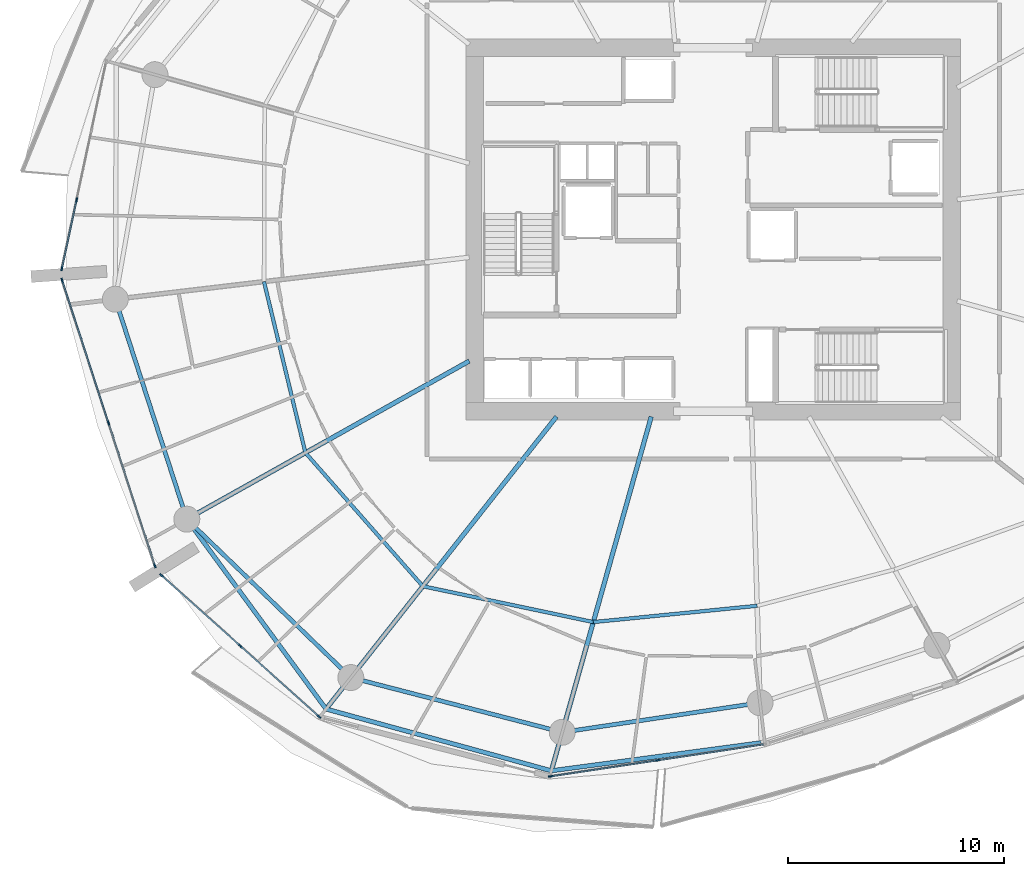
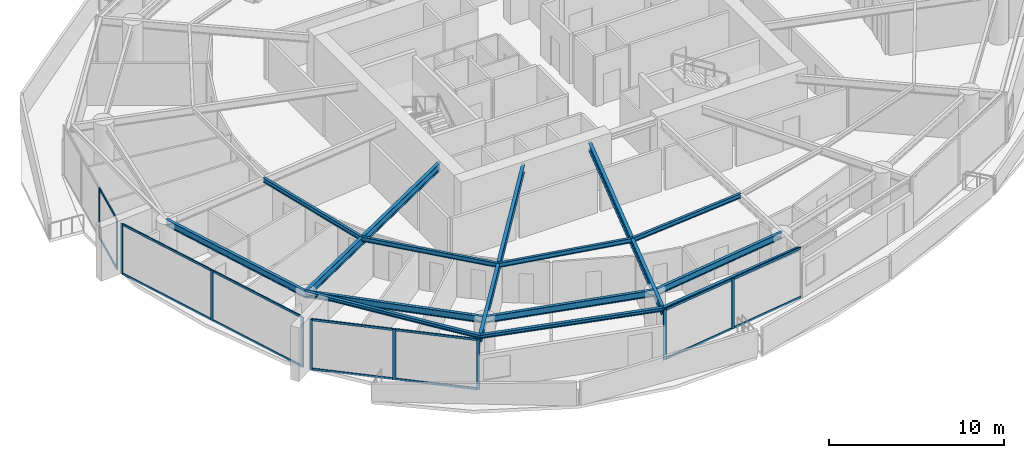
# One storey, part 5 of 23: 24 members, 14 beams, 4 elements without a shape of their own.
"""IFC4 building model written with IfcOpenShell, lengths in metres."""

from ifc_helpers import new_model, si_unit, direction, frame, origin, origin_2d, place, context, subcontext, project, spatial, rectangle, i_section, extrude, material, layer, layer_set, material_profile, profile_set, type_object, element, aggregate, save


model = new_model("IFC4")

# Units and contexts
model_context = context("Model", 3, precision=1e-05, world=origin(), true_north=direction((0.0, 1.0)))
body_context = subcontext(model_context, "Body", "Model", "MODEL_VIEW")
ifc_project = project(units=[si_unit("LENGTHUNIT", "METRE"), si_unit("AREAUNIT", "SQUARE_METRE"), si_unit("VOLUMEUNIT", "CUBIC_METRE"), si_unit("PLANEANGLEUNIT", "RADIAN"), si_unit("MASSUNIT", "GRAM", prefix="KILO")], contexts=[model_context])

# Site, building, storey
site_placement = place(None, origin())
site = spatial("IfcSite", under=ifc_project, at=site_placement, CompositionType="ELEMENT")
building_placement = place(site_placement, origin())
building = spatial("IfcBuilding", under=site, at=building_placement, Name="Kazma Halo Residences", CompositionType="ELEMENT")
storey_placement = place(building_placement, frame((0.0, 0.0, 108.89990234375)))
storey = spatial("IfcBuildingStorey", under=building, at=storey_placement, Name="L27", CompositionType="ELEMENT", Elevation=108.89990234375)

# Beams
ifc_material_1 = material(Name="Steel S355", Category="steel")
ifc_material_profile_1 = material_profile(ifc_material_1, i_section(OverallWidth=0.201904296875, OverallDepth=0.2470703125, WebThickness=0.00732421875, FlangeThickness=0.010986328125, FilletRadius=0.011962890625, at=origin_2d()), Name="W250x49.1")
ifc_profile_set_1 = profile_set([ifc_material_profile_1], Name="Steel S355")
beam_type_1 = type_object("IfcBeamType", Name="BM-BAL-CANT", PredefinedType="BEAM", material=ifc_profile_set_1)
beam_1_placement = place(storey_placement, frame((24.0966796875, 28.613525390625, 3.376708984375), z_axis=(0.59144927253, -0.806342209005, 0.0), x_axis=(0.806342209005, 0.59144927253, 0.0)))
element("IfcBeam", 1, at=beam_1_placement, inside=storey, type_object=beam_type_1, Name="L27 wave-balcony lead tie beam 09", PredefinedType="BEAM", context=body_context, shape_type="SweptSolid", body=[
    extrude(i_section(OverallWidth=0.201904296875, OverallDepth=0.2470703125, WebThickness=0.00732421875, FlangeThickness=0.010986328125, FilletRadius=0.011962890625, at=origin_2d()), origin(), (0.0, 0.0, 1.0), 10.87939453125),
])
beam_2_placement = place(storey_placement, frame((30.53125, 19.841064453125, 3.376708984375), z_axis=(0.964396617, -0.264460139, 0.0), x_axis=(0.264460139, 0.964396617, 0.0)))
element("IfcBeam", 2, at=beam_2_placement, inside=storey, type_object=beam_type_1, Name="L27 wave-balcony tie beam 10", PredefinedType="BEAM", context=body_context, shape_type="SweptSolid", body=[
    extrude(i_section(OverallWidth=0.201904296875, OverallDepth=0.2470703125, WebThickness=0.00732421875, FlangeThickness=0.010986328125, FilletRadius=0.011962890625, at=origin_2d()), origin(), (0.0, 0.0, 1.0), 10.79833984375),
])
beam_3_placement = place(storey_placement, frame((40.945068359375, 16.9853515625, 3.376708984375), z_axis=(0.991182511795, 0.13250369169, 0.0), x_axis=(-0.13250369169, 0.991182511795, 0.0)))
element("IfcBeam", 3, at=beam_3_placement, inside=storey, type_object=beam_type_1, Name="L27 wave-balcony tie beam 11", PredefinedType="BEAM", context=body_context, shape_type="SweptSolid", body=[
    extrude(i_section(OverallWidth=0.201904296875, OverallDepth=0.2470703125, WebThickness=0.00732421875, FlangeThickness=0.010986328125, FilletRadius=0.011962890625, at=origin_2d()), origin(), (0.0, 0.0, 1.0), 9.78369140625),
])
ifc_material_profile_2 = material_profile(ifc_material_1, i_section(OverallWidth=0.208984375, OverallDepth=0.532958984375, WebThickness=0.01025390625, FlangeThickness=0.015625, FilletRadius=0.01611328125, at=origin_2d()), Name="W530x92")
ifc_profile_set_2 = profile_set([ifc_material_profile_2], Name="Steel S355")
beam_type_2 = type_object("IfcBeamType", Name="BM-RAD-W530", PredefinedType="BEAM", material=ifc_profile_set_2)
beam_4_placement = place(storey_placement, frame((37.14990234375, 35.923583984375, 3.233642578125), z_axis=(-0.87249878074, -0.488616288724, 0.0), x_axis=(0.488616288724, -0.87249878074, 0.0)))
element("IfcBeam", 4, at=beam_4_placement, inside=storey, type_object=beam_type_2, Name="L27 radial floor beam 09", PredefinedType="BEAM", context=body_context, shape_type="SweptSolid", body=[
    extrude(i_section(OverallWidth=0.208984375, OverallDepth=0.532958984375, WebThickness=0.01025390625, FlangeThickness=0.015625, FilletRadius=0.01611328125, at=origin_2d()), origin(), (0.0, 0.0, 1.0), 14.960693359375),
])
beam_5_placement = place(storey_placement, frame((41.180908203125, 33.35009765625, 3.233642578125), z_axis=(-0.619093774822, -0.785317068436, 0.0), x_axis=(0.785317068436, -0.619093774822, 0.0)))
element("IfcBeam", 5, at=beam_5_placement, inside=storey, type_object=beam_type_2, Name="L27 radial floor beam 10", PredefinedType="BEAM", context=body_context, shape_type="SweptSolid", body=[
    extrude(i_section(OverallWidth=0.208984375, OverallDepth=0.532958984375, WebThickness=0.01025390625, FlangeThickness=0.015625, FilletRadius=0.01611328125, at=origin_2d()), origin(), (0.0, 0.0, 1.0), 17.201904296875),
])
beam_6_placement = place(storey_placement, frame((45.560302734375, 33.35009765625, 3.233642578125), z_axis=(-0.271434928076, -0.962456793742, 0.0), x_axis=(0.962456793742, -0.271434928076, 0.0)))
element("IfcBeam", 6, at=beam_6_placement, inside=storey, type_object=beam_type_2, Name="L27 radial floor beam 11", PredefinedType="BEAM", context=body_context, shape_type="SweptSolid", body=[
    extrude(i_section(OverallWidth=0.208984375, OverallDepth=0.532958984375, WebThickness=0.01025390625, FlangeThickness=0.015625, FilletRadius=0.01611328125, at=origin_2d()), origin(), (0.0, 0.0, 1.0), 17.003173828125),
])
ifc_material_profile_3 = material_profile(ifc_material_1, i_section(OverallWidth=0.1650390625, OverallDepth=0.31005859375, WebThickness=0.005859375, FlangeThickness=0.009765625, FilletRadius=0.011962890625, at=origin_2d()), Name="W310x38.7")
ifc_profile_set_3 = profile_set([ifc_material_profile_3], Name="Steel S355")
beam_type_3 = type_object("IfcBeamType", Name="BM-SEC-W310B", PredefinedType="JOIST", material=ifc_profile_set_3)
beam_7_placement = place(storey_placement, frame((27.6630859375, 39.593017578125, 3.34521484375), z_axis=(0.235442033286, -0.971888393264, 0.0), x_axis=(0.971888393264, 0.235442033286, 0.0)))
element("IfcBeam", 7, at=beam_7_placement, inside=storey, type_object=beam_type_3, Name="L27 circumferential floor joist 08", PredefinedType="JOIST", context=body_context, shape_type="SweptSolid", body=[
    extrude(i_section(OverallWidth=0.1650390625, OverallDepth=0.31005859375, WebThickness=0.005859375, FlangeThickness=0.009765625, FilletRadius=0.011962890625, at=origin_2d()), origin(), (0.0, 0.0, 1.0), 8.137939453125),
])
beam_8_placement = place(storey_placement, frame((29.5791015625, 31.683837890625, 3.34521484375), z_axis=(0.660379309564, -0.750932199003, 0.0), x_axis=(0.750932199003, 0.660379309564, 0.0)))
element("IfcBeam", 8, at=beam_8_placement, inside=storey, type_object=beam_type_3, Name="L27 circumferential floor joist 09", PredefinedType="JOIST", context=body_context, shape_type="SweptSolid", body=[
    extrude(i_section(OverallWidth=0.1650390625, OverallDepth=0.31005859375, WebThickness=0.005859375, FlangeThickness=0.009765625, FilletRadius=0.011962890625, at=origin_2d()), origin(), (0.0, 0.0, 1.0), 8.215087890625),
])
beam_9_placement = place(storey_placement, frame((35.004150390625, 25.514892578125, 3.34521484375), z_axis=(0.978607976751, -0.205733876255, 0.0), x_axis=(0.205733876255, 0.978607976751, 0.0)))
element("IfcBeam", 9, at=beam_9_placement, inside=storey, type_object=beam_type_3, Name="L27 circumferential floor joist 10", PredefinedType="JOIST", context=body_context, shape_type="SweptSolid", body=[
    extrude(i_section(OverallWidth=0.1650390625, OverallDepth=0.31005859375, WebThickness=0.005859375, FlangeThickness=0.009765625, FilletRadius=0.011962890625, at=origin_2d()), origin(), (0.0, 0.0, 1.0), 8.051513671875),
])
beam_10_placement = place(storey_placement, frame((42.883544921875, 23.8583984375, 3.34521484375), z_axis=(0.995106821048, 0.098804932586, 0.0), x_axis=(-0.098804932586, 0.995106821048, 0.0)))
element("IfcBeam", 10, at=beam_10_placement, inside=storey, type_object=beam_type_3, Name="L27 circumferential floor joist 11", PredefinedType="JOIST", context=body_context, shape_type="SweptSolid", body=[
    extrude(i_section(OverallWidth=0.1650390625, OverallDepth=0.31005859375, WebThickness=0.005859375, FlangeThickness=0.009765625, FilletRadius=0.011962890625, at=origin_2d()), origin(), (0.0, 0.0, 1.0), 7.610595703125),
])
ifc_material_profile_4 = material_profile(ifc_material_1, i_section(OverallWidth=0.18994140625, OverallDepth=0.45703125, WebThickness=0.009033203125, FlangeThickness=0.014404296875, FilletRadius=0.01611328125, at=origin_2d()), Name="W460x74")
ifc_profile_set_4 = profile_set([ifc_material_profile_4], Name="Steel S355")
beam_type_4 = type_object("IfcBeamType", Name="BM-SPN-W460", PredefinedType="BEAM", material=ifc_profile_set_4)
beam_11_placement = place(storey_placement, frame((20.79345703125, 38.77978515625, 3.271484375), z_axis=(0.309017385422, -0.951056389236, 0.0), x_axis=(0.951056389236, 0.309017385422, 0.0)))
element("IfcBeam", 11, at=beam_11_placement, inside=storey, type_object=beam_type_4, Name="L27 perimeter ring beam 08", PredefinedType="BEAM", context=body_context, shape_type="SweptSolid", body=[
    extrude(i_section(OverallWidth=0.18994140625, OverallDepth=0.45703125, WebThickness=0.009033203125, FlangeThickness=0.014404296875, FilletRadius=0.01611328125, at=origin_2d()), origin(), (0.0, 0.0, 1.0), 10.689453125),
])
beam_12_placement = place(storey_placement, frame((24.0966796875, 28.613525390625, 3.271484375), z_axis=(0.719336783114, -0.694661494873, 0.0), x_axis=(0.694661494873, 0.719336783114, 0.0)))
element("IfcBeam", 12, at=beam_12_placement, inside=storey, type_object=beam_type_4, Name="L27 perimeter ring beam 09", PredefinedType="BEAM", context=body_context, shape_type="SweptSolid", body=[
    extrude(i_section(OverallWidth=0.18994140625, OverallDepth=0.45703125, WebThickness=0.009033203125, FlangeThickness=0.014404296875, FilletRadius=0.01611328125, at=origin_2d()), origin(), (0.0, 0.0, 1.0), 10.537353515625),
])
beam_13_placement = place(storey_placement, frame((31.676513671875, 21.293701171875, 3.271484375), z_axis=(0.968124968683, -0.250467652626, 0.0), x_axis=(0.250467652626, 0.968124968683, 0.0)))
element("IfcBeam", 13, at=beam_13_placement, inside=storey, type_object=beam_type_4, Name="L27 perimeter ring beam 10", PredefinedType="BEAM", context=body_context, shape_type="SweptSolid", body=[
    extrude(i_section(OverallWidth=0.18994140625, OverallDepth=0.45703125, WebThickness=0.009033203125, FlangeThickness=0.014404296875, FilletRadius=0.01611328125, at=origin_2d()), origin(), (0.0, 0.0, 1.0), 10.092529296875),
])
beam_14_placement = place(storey_placement, frame((41.447265625, 18.765869140625, 3.271484375), z_axis=(0.989034176303, 0.147686824414, 0.0), x_axis=(-0.147686824414, 0.989034176303, 0.0)))
element("IfcBeam", 14, at=beam_14_placement, inside=storey, type_object=beam_type_4, Name="L27 perimeter ring beam 11", PredefinedType="BEAM", context=body_context, shape_type="SweptSolid", body=[
    extrude(i_section(OverallWidth=0.18994140625, OverallDepth=0.45703125, WebThickness=0.009033203125, FlangeThickness=0.014404296875, FilletRadius=0.01611328125, at=origin_2d()), origin(), (0.0, 0.0, 1.0), 9.242431640625),
])

# Curtain wall, members
ifc_material_2 = material(Name="Aluminium AW-6063 T6 and Triple-Silver Low-E Glass", Category="aluminium")
ifc_layer = layer(ifc_material_2, 0.199951171875)
ifc_layer_set = layer_set([ifc_layer], Name="Aluminium AW-6063 T6 and Triple-Silver Low-E Glass")
curtain_wall_type = type_object("IfcCurtainWallType", Name="CW-SYS-3", PredefinedType="NOTDEFINED", material=ifc_layer_set)
curtain_wall_1_placement = place(storey_placement, origin())
curtain_wall_1 = element("IfcCurtainWall", 15, at=curtain_wall_1_placement, inside=storey, type_object=curtain_wall_type, Name="L27 unitised curtain wall B07", PredefinedType="NOTDEFINED")
ifc_material_3 = material(Name="Aluminium AW-6063 T6", Category="aluminium")
ifc_material_profile_5 = material_profile(ifc_material_3, rectangle(XDim=0.070068359375, YDim=0.199951171875, at=origin_2d()), Name="CWM-70x200")
ifc_profile_set_5 = profile_set([ifc_material_profile_5], Name="Aluminium AW-6063 T6")
member_type_1 = type_object("IfcMemberType", Name="CW-SYS-3-MUL", PredefinedType="MULLION", material=ifc_profile_set_5)
member_1_placement = place(storey_placement, frame((19.004638671875, 43.36865234375, 0.0), z_axis=(0.0, 0.0, 1.0), x_axis=(0.977774176093, -0.209660822677, 0.0)))
member_1 = element("IfcMember", 16, at=member_1_placement, type_object=member_type_1, Name="CWS-3 mullion 3", PredefinedType="MULLION", context=body_context, shape_type="SweptSolid", body=[
    extrude(rectangle(XDim=0.070068359375, YDim=0.199951171875, at=origin_2d()), origin(), (0.0, 0.0, 1.0), 3.5),
])
member_2_placement = place(storey_placement, frame((18.323486328125, 40.192626953125, 0.0), z_axis=(0.0, 0.0, 1.0), x_axis=(0.977774176093, -0.209660822677, 0.0)))
member_2 = element("IfcMember", 17, at=member_2_placement, type_object=member_type_1, Name="CWS-3 mullion 4", PredefinedType="MULLION", context=body_context, shape_type="SweptSolid", body=[
    extrude(rectangle(XDim=0.070068359375, YDim=0.199951171875, at=origin_2d()), origin(), (0.0, 0.0, 1.0), 3.5),
])

curtain_wall_2_placement = place(storey_placement, origin())
curtain_wall_2 = element("IfcCurtainWall", 18, at=curtain_wall_2_placement, inside=storey, type_object=curtain_wall_type, Name="L27 unitised curtain wall B08", PredefinedType="NOTDEFINED")
member_3_placement = place(storey_placement, frame((18.334716796875, 39.6572265625, 0.0), z_axis=(0.0, 0.0, 1.0), x_axis=(0.951057722508, 0.309013282008, 0.0)))
member_3 = element("IfcMember", 19, at=member_3_placement, type_object=member_type_1, Name="CWS-3 mullion 1", PredefinedType="MULLION", context=body_context, shape_type="SweptSolid", body=[
    extrude(rectangle(XDim=0.070068359375, YDim=0.199951171875, at=origin_2d()), origin(), (0.0, 0.0, 1.0), 3.5),
])
member_4_placement = place(storey_placement, frame((20.47900390625, 33.057861328125, 0.0), z_axis=(0.0, 0.0, 1.0), x_axis=(0.951057722508, 0.309013282008, 0.0)))
member_4 = element("IfcMember", 20, at=member_4_placement, type_object=member_type_1, Name="CWS-3 mullion 2", PredefinedType="MULLION", context=body_context, shape_type="SweptSolid", body=[
    extrude(rectangle(XDim=0.070068359375, YDim=0.199951171875, at=origin_2d()), origin(), (0.0, 0.0, 1.0), 3.5),
])
member_5_placement = place(storey_placement, frame((22.623291015625, 26.45849609375, 0.0), z_axis=(0.0, 0.0, 1.0), x_axis=(0.951057722508, 0.309013282008, 0.0)))
member_5 = element("IfcMember", 21, at=member_5_placement, type_object=member_type_1, Name="CWS-3 mullion 3", PredefinedType="MULLION", context=body_context, shape_type="SweptSolid", body=[
    extrude(rectangle(XDim=0.070068359375, YDim=0.199951171875, at=origin_2d()), origin(), (0.0, 0.0, 1.0), 3.5),
])

curtain_wall_3_placement = place(storey_placement, origin())
curtain_wall_3 = element("IfcCurtainWall", 22, at=curtain_wall_3_placement, inside=storey, type_object=curtain_wall_type, Name="L27 unitised curtain wall B09", PredefinedType="NOTDEFINED")
member_6_placement = place(storey_placement, frame((22.928955078125, 26.018798828125, 0.0), z_axis=(0.0, 0.0, 1.0), x_axis=(0.667794957375, 0.744345279359, 0.0)))
member_6 = element("IfcMember", 23, at=member_6_placement, type_object=member_type_1, Name="CWS-3 mullion 1", PredefinedType="MULLION", context=body_context, shape_type="SweptSolid", body=[
    extrude(rectangle(XDim=0.070068359375, YDim=0.199951171875, at=origin_2d()), origin(), (0.0, 0.0, 1.0), 3.5),
])
member_7_placement = place(storey_placement, frame((26.568603515625, 22.75341796875, 0.0), z_axis=(0.0, 0.0, 1.0), x_axis=(0.667794957375, 0.744345279359, 0.0)))
member_7 = element("IfcMember", 24, at=member_7_placement, type_object=member_type_1, Name="CWS-3 mullion 2", PredefinedType="MULLION", context=body_context, shape_type="SweptSolid", body=[
    extrude(rectangle(XDim=0.070068359375, YDim=0.199951171875, at=origin_2d()), origin(), (0.0, 0.0, 1.0), 3.5),
])
member_8_placement = place(storey_placement, frame((30.208251953125, 19.48779296875, 0.0), z_axis=(0.0, 0.0, 1.0), x_axis=(0.667794957375, 0.744345279359, 0.0)))
member_8 = element("IfcMember", 25, at=member_8_placement, type_object=member_type_1, Name="CWS-3 mullion 3", PredefinedType="MULLION", context=body_context, shape_type="SweptSolid", body=[
    extrude(rectangle(XDim=0.070068359375, YDim=0.199951171875, at=origin_2d()), origin(), (0.0, 0.0, 1.0), 3.5),
])

curtain_wall_4_placement = place(storey_placement, origin())
curtain_wall_4 = element("IfcCurtainWall", 26, at=curtain_wall_4_placement, inside=storey, type_object=curtain_wall_type, Name="L27 unitised curtain wall B11", PredefinedType="NOTDEFINED")
member_9_placement = place(storey_placement, frame((40.90576171875, 16.728271484375, 0.0), z_axis=(0.0, 0.0, 1.0), x_axis=(-0.148717330409, 0.988879747814, 0.0)))
member_9 = element("IfcMember", 27, at=member_9_placement, type_object=member_type_1, Name="CWS-3 mullion 1", PredefinedType="MULLION", context=body_context, shape_type="SweptSolid", body=[
    extrude(rectangle(XDim=0.070068359375, YDim=0.199951171875, at=origin_2d()), origin(), (0.0, 0.0, 1.0), 3.5),
])
member_10_placement = place(storey_placement, frame((45.843017578125, 17.470703125, 0.0), z_axis=(0.0, 0.0, 1.0), x_axis=(-0.148717330409, 0.988879747814, 0.0)))
member_10 = element("IfcMember", 28, at=member_10_placement, type_object=member_type_1, Name="CWS-3 mullion 2", PredefinedType="MULLION", context=body_context, shape_type="SweptSolid", body=[
    extrude(rectangle(XDim=0.070068359375, YDim=0.199951171875, at=origin_2d()), origin(), (0.0, 0.0, 1.0), 3.5),
])

# Member
ifc_material_profile_6 = material_profile(ifc_material_3, rectangle(XDim=0.070068359375, YDim=0.14990234375, at=origin_2d()), Name="CWT-70x150")
ifc_profile_set_6 = profile_set([ifc_material_profile_6], Name="Aluminium AW-6063 T6")
member_type_2 = type_object("IfcMemberType", Name="CW-SYS-3-TRN", PredefinedType="USERDEFINED", material=ifc_profile_set_6)
member_11_placement = place(storey_placement, frame((18.997314453125, 43.33447265625, 0.03515625), z_axis=(-0.209717949017, -0.977761924939, 0.0), x_axis=(0.977761924939, -0.209717949017, 0.0)))
member_11 = element("IfcMember", 29, at=member_11_placement, type_object=member_type_2, Name="CWS-3 transom 3.1", ObjectType="TRANSOM", PredefinedType="USERDEFINED", context=body_context, shape_type="SweptSolid", body=[
    extrude(rectangle(XDim=0.070068359375, YDim=0.14990234375, at=origin_2d()), origin(), (0.0, 0.0, 1.0), 3.177978515625),
])

member_12_placement = place(storey_placement, frame((18.997314453125, 43.33447265625, 3.465087890625), z_axis=(-0.209717949017, -0.977761924939, 0.0), x_axis=(0.977761924939, -0.209717949017, 0.0)))
member_12 = element("IfcMember", 30, at=member_12_placement, type_object=member_type_2, Name="CWS-3 transom 3.2", ObjectType="TRANSOM", PredefinedType="USERDEFINED", context=body_context, shape_type="SweptSolid", body=[
    extrude(rectangle(XDim=0.070068359375, YDim=0.14990234375, at=origin_2d()), origin(), (0.0, 0.0, 1.0), 3.177978515625),
])

aggregate(curtain_wall_1, [member_1, member_2, member_11, member_12])

member_13_placement = place(storey_placement, frame((18.345458984375, 39.6240234375, 0.03515625), z_axis=(0.309000079699, -0.95106201204, 0.0), x_axis=(0.95106201204, 0.309000079699, 0.0)))
member_13 = element("IfcMember", 31, at=member_13_placement, type_object=member_type_2, Name="CWS-3 transom 1.1", ObjectType="TRANSOM", PredefinedType="USERDEFINED", context=body_context, shape_type="SweptSolid", body=[
    extrude(rectangle(XDim=0.070068359375, YDim=0.14990234375, at=origin_2d()), origin(), (0.0, 0.0, 1.0), 6.869140625),
])

member_14_placement = place(storey_placement, frame((18.345458984375, 39.6240234375, 3.465087890625), z_axis=(0.309000079699, -0.95106201204, 0.0), x_axis=(0.95106201204, 0.309000079699, 0.0)))
member_14 = element("IfcMember", 32, at=member_14_placement, type_object=member_type_2, Name="CWS-3 transom 1.2", ObjectType="TRANSOM", PredefinedType="USERDEFINED", context=body_context, shape_type="SweptSolid", body=[
    extrude(rectangle(XDim=0.070068359375, YDim=0.14990234375, at=origin_2d()), origin(), (0.0, 0.0, 1.0), 6.869140625),
])

member_15_placement = place(storey_placement, frame((20.48974609375, 33.024658203125, 0.03515625), z_axis=(0.309000079699, -0.95106201204, 0.0), x_axis=(0.95106201204, 0.309000079699, 0.0)))
member_15 = element("IfcMember", 33, at=member_15_placement, type_object=member_type_2, Name="CWS-3 transom 2.1", ObjectType="TRANSOM", PredefinedType="USERDEFINED", context=body_context, shape_type="SweptSolid", body=[
    extrude(rectangle(XDim=0.070068359375, YDim=0.14990234375, at=origin_2d()), origin(), (0.0, 0.0, 1.0), 6.869140625),
])

member_16_placement = place(storey_placement, frame((20.48974609375, 33.024658203125, 3.465087890625), z_axis=(0.309000079699, -0.95106201204, 0.0), x_axis=(0.95106201204, 0.309000079699, 0.0)))
member_16 = element("IfcMember", 34, at=member_16_placement, type_object=member_type_2, Name="CWS-3 transom 2.2", ObjectType="TRANSOM", PredefinedType="USERDEFINED", context=body_context, shape_type="SweptSolid", body=[
    extrude(rectangle(XDim=0.070068359375, YDim=0.14990234375, at=origin_2d()), origin(), (0.0, 0.0, 1.0), 6.869140625),
])

aggregate(curtain_wall_2, [member_3, member_4, member_5, member_13, member_14, member_15, member_16])

member_17_placement = place(storey_placement, frame((22.954833984375, 25.995361328125, 0.03515625), z_axis=(0.744338471453, -0.667802545603, 0.0), x_axis=(0.667802545603, 0.744338471453, 0.0)))
member_17 = element("IfcMember", 35, at=member_17_placement, type_object=member_type_2, Name="CWS-3 transom 1.1", ObjectType="TRANSOM", PredefinedType="USERDEFINED", context=body_context, shape_type="SweptSolid", body=[
    extrude(rectangle(XDim=0.070068359375, YDim=0.14990234375, at=origin_2d()), origin(), (0.0, 0.0, 1.0), 4.81982421875),
])

member_18_placement = place(storey_placement, frame((22.954833984375, 25.995361328125, 3.465087890625), z_axis=(0.744338471453, -0.667802545603, 0.0), x_axis=(0.667802545603, 0.744338471453, 0.0)))
member_18 = element("IfcMember", 36, at=member_18_placement, type_object=member_type_2, Name="CWS-3 transom 1.2", ObjectType="TRANSOM", PredefinedType="USERDEFINED", context=body_context, shape_type="SweptSolid", body=[
    extrude(rectangle(XDim=0.070068359375, YDim=0.14990234375, at=origin_2d()), origin(), (0.0, 0.0, 1.0), 4.81982421875),
])

member_19_placement = place(storey_placement, frame((26.5947265625, 22.72998046875, 0.03515625), z_axis=(0.744338471453, -0.667802545603, 0.0), x_axis=(0.667802545603, 0.744338471453, 0.0)))
member_19 = element("IfcMember", 37, at=member_19_placement, type_object=member_type_2, Name="CWS-3 transom 2.1", ObjectType="TRANSOM", PredefinedType="USERDEFINED", context=body_context, shape_type="SweptSolid", body=[
    extrude(rectangle(XDim=0.070068359375, YDim=0.14990234375, at=origin_2d()), origin(), (0.0, 0.0, 1.0), 4.81982421875),
])

member_20_placement = place(storey_placement, frame((26.5947265625, 22.72998046875, 3.465087890625), z_axis=(0.744338471453, -0.667802545603, 0.0), x_axis=(0.667802545603, 0.744338471453, 0.0)))
member_20 = element("IfcMember", 38, at=member_20_placement, type_object=member_type_2, Name="CWS-3 transom 2.2", ObjectType="TRANSOM", PredefinedType="USERDEFINED", context=body_context, shape_type="SweptSolid", body=[
    extrude(rectangle(XDim=0.070068359375, YDim=0.14990234375, at=origin_2d()), origin(), (0.0, 0.0, 1.0), 4.81982421875),
])

aggregate(curtain_wall_3, [member_6, member_7, member_8, member_17, member_18, member_19, member_20])

member_21_placement = place(storey_placement, frame((40.9404296875, 16.7333984375, 0.03515625), z_axis=(0.988876977991, 0.148735746878, 0.0), x_axis=(-0.148735746878, 0.988876977991, 0.0)))
member_21 = element("IfcMember", 39, at=member_21_placement, type_object=member_type_2, Name="CWS-3 transom 1.1", ObjectType="TRANSOM", PredefinedType="USERDEFINED", context=body_context, shape_type="SweptSolid", body=[
    extrude(rectangle(XDim=0.070068359375, YDim=0.14990234375, at=origin_2d()), origin(), (0.0, 0.0, 1.0), 4.922607421875),
])

member_22_placement = place(storey_placement, frame((40.9404296875, 16.7333984375, 3.465087890625), z_axis=(0.988876977991, 0.148735746878, 0.0), x_axis=(-0.148735746878, 0.988876977991, 0.0)))
member_22 = element("IfcMember", 40, at=member_22_placement, type_object=member_type_2, Name="CWS-3 transom 1.2", ObjectType="TRANSOM", PredefinedType="USERDEFINED", context=body_context, shape_type="SweptSolid", body=[
    extrude(rectangle(XDim=0.070068359375, YDim=0.14990234375, at=origin_2d()), origin(), (0.0, 0.0, 1.0), 4.922607421875),
])

member_23_placement = place(storey_placement, frame((45.87744140625, 17.47607421875, 0.03515625), z_axis=(0.988884271372, 0.148687248386, 0.0), x_axis=(-0.148687248386, 0.988884271372, 0.0)))
member_23 = element("IfcMember", 41, at=member_23_placement, type_object=member_type_2, Name="CWS-3 transom 2.1", ObjectType="TRANSOM", PredefinedType="USERDEFINED", context=body_context, shape_type="SweptSolid", body=[
    extrude(rectangle(XDim=0.070068359375, YDim=0.14990234375, at=origin_2d()), origin(), (0.0, 0.0, 1.0), 4.922607421875),
])

member_24_placement = place(storey_placement, frame((45.87744140625, 17.47607421875, 3.465087890625), z_axis=(0.988884271372, 0.148687248386, 0.0), x_axis=(-0.148687248386, 0.988884271372, 0.0)))
member_24 = element("IfcMember", 42, at=member_24_placement, type_object=member_type_2, Name="CWS-3 transom 2.2", ObjectType="TRANSOM", PredefinedType="USERDEFINED", context=body_context, shape_type="SweptSolid", body=[
    extrude(rectangle(XDim=0.070068359375, YDim=0.14990234375, at=origin_2d()), origin(), (0.0, 0.0, 1.0), 4.922607421875),
])

aggregate(curtain_wall_4, [member_9, member_10, member_21, member_22, member_23, member_24])

save(model, "model.ifc")
